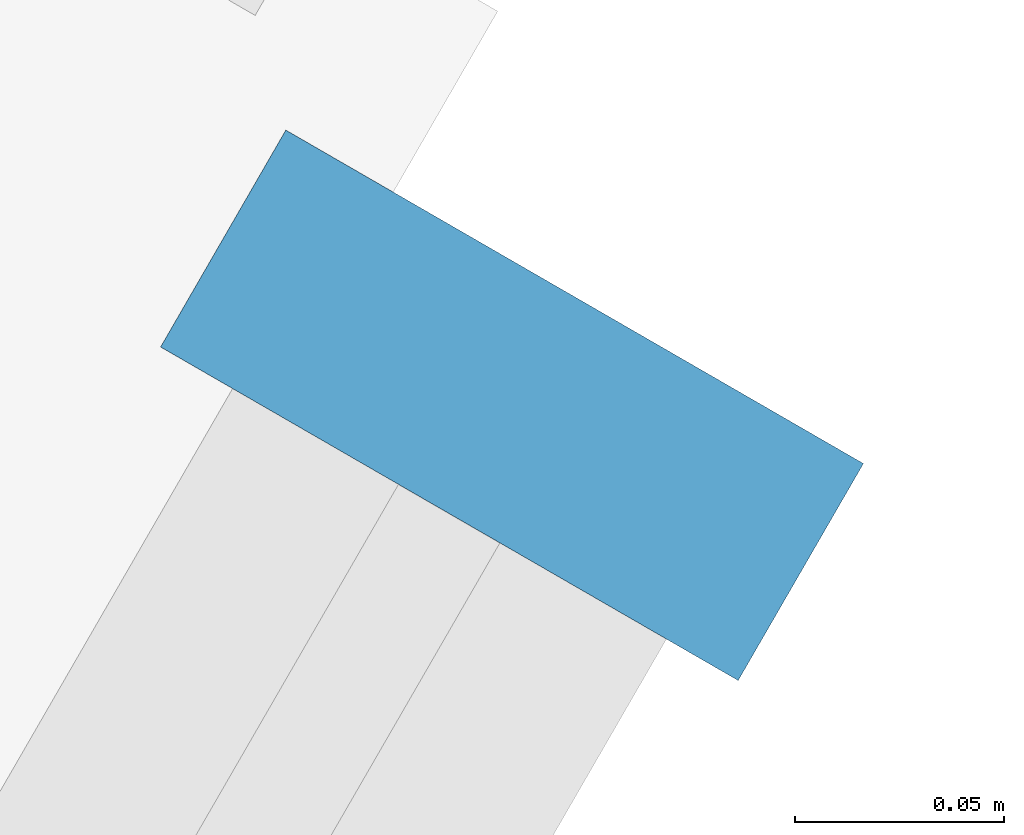
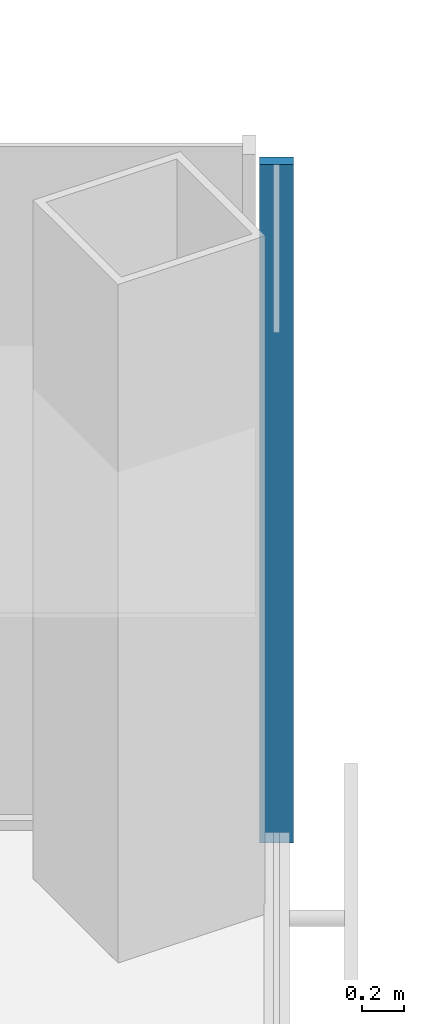
# One storey, part 9 of 18: 1 member, 1 element without a shape of its own.
"""IFC4 building model written with IfcOpenShell, lengths in metres."""

import ifcopenshell
import ifcopenshell.guid

model = None  # the IFC model being written
_history = None  # IfcOwnerHistory: only IFC2X3 demands one
_inside = {}  # id of a spatial element -> (the spatial element, [elements in it])
_under = {}  # id of a project, library or spatial element -> (it, [spatial elements below it])
_declared = {}  # id of a project -> (the project, [libraries it declares])
_typed = {}  # id of a type object -> (the type object, [elements of that type])
_made_of = {}  # id of a material, layer set ... -> (it, [elements and type objects made of it])


def new_model(schema):
    """Start an empty IFC model of exactly this schema.

    Asked for "IFC4X3", IfcOpenShell would pick the latest addendum, in which some entities
    have other attributes; the version numbers below select the first issue.
    IFC2X3 requires an IfcOwnerHistory on every rooted entity: one is made here for all.
    """
    global model, _history
    if schema == "IFC4X3":
        model = ifcopenshell.file(schema_version=(4, 3, 0, 0))
    else:
        model = ifcopenshell.file(schema=schema)
    _inside.clear()
    _under.clear()
    _declared.clear()
    _typed.clear()
    _made_of.clear()
    _history = None
    if model.schema == "IFC2X3":
        org = make("IfcOrganization", Name="unknown")
        user = make(
            "IfcPersonAndOrganization",
            ThePerson=make("IfcPerson", FamilyName="unknown"),
            TheOrganization=org,
        )
        app = make(
            "IfcApplication",
            ApplicationDeveloper=org,
            Version="unknown",
            ApplicationFullName="unknown",
            ApplicationIdentifier="unknown",
        )
        _history = make(
            "IfcOwnerHistory",
            OwningUser=user,
            OwningApplication=app,
            ChangeAction="ADDED",
            CreationDate=0,
        )
    return model


def make(cls, **values):
    """One entity of the class cls with the attributes given. An attribute that is None is left unset."""
    return model.create_entity(
        cls, **{name: value for name, value in values.items() if value is not None}
    )


def rooted(cls, **values):
    """An entity with a GlobalId (a new one), such as an element, a storey or a relation."""
    return make(cls, GlobalId=ifcopenshell.guid.new(), OwnerHistory=_history, **values)


def si_unit(unit_type, name, prefix=None):
    """IfcSIUnit, for example si_unit("LENGTHUNIT", "METRE", prefix="MILLI")."""
    return make("IfcSIUnit", UnitType=unit_type, Prefix=prefix, Name=name)


def assignment(units):
    """IfcUnitAssignment: the units of a project."""
    return None if units is None else make("IfcUnitAssignment", Units=units)


def point(xyz):
    """IfcCartesianPoint."""
    return None if xyz is None else make("IfcCartesianPoint", Coordinates=xyz)


def direction(xyz):
    """IfcDirection."""
    return None if xyz is None else make("IfcDirection", DirectionRatios=xyz)


def frame(location, z_axis=None, x_axis=None):
    """IfcAxis2Placement3D, a coordinate frame: its origin and axes. An axis left out is left unset."""
    return make(
        "IfcAxis2Placement3D",
        Location=point(location),
        Axis=direction(z_axis),
        RefDirection=direction(x_axis),
    )


def frame_2d(location, x_axis=None):
    """IfcAxis2Placement2D, a coordinate frame in the plane: its origin and x axis."""
    return make(
        "IfcAxis2Placement2D", Location=point(location), RefDirection=direction(x_axis)
    )


def origin():
    """The frame at (0, 0, 0) with its axes left unset."""
    return frame((0.0, 0.0, 0.0))


def origin_2d():
    """The frame at (0, 0) in the plane with its x axis left unset."""
    return frame_2d((0.0, 0.0))


def place(relative_to, where):
    """IfcLocalPlacement: puts the frame where relative to a parent placement (None: the world)."""
    return make(
        "IfcLocalPlacement", PlacementRelTo=relative_to, RelativePlacement=where
    )


def context(
    kind, dimensions, precision=None, world=None, true_north=None, identifier=None
):
    """IfcGeometricRepresentationContext, for example the 3D "Model" context."""
    return make(
        "IfcGeometricRepresentationContext",
        ContextIdentifier=identifier,
        ContextType=kind,
        CoordinateSpaceDimension=dimensions,
        Precision=precision,
        WorldCoordinateSystem=world,
        TrueNorth=true_north,
    )


def subcontext(parent, identifier, kind, view, scale=None):
    """IfcGeometricRepresentationSubContext, for example "Body" below "Model"."""
    return make(
        "IfcGeometricRepresentationSubContext",
        ContextIdentifier=identifier,
        ContextType=kind,
        ParentContext=parent,
        TargetScale=scale,
        TargetView=view,
    )


def project(units=None, contexts=None):
    """IfcProject with its units and contexts."""
    return rooted(
        "IfcProject",
        Name="project",
        RepresentationContexts=contexts,
        UnitsInContext=assignment(units),
    )


def spatial(cls, under=None, at=None, **own):
    """A site, building, storey or space (cls), placed at a placement, below another one or the project."""
    s = rooted(cls, ObjectPlacement=at, **own)
    if under is not None:
        _under.setdefault(under.id(), (under, []))[1].append(s)
    return s


def profile(cls, at=None, kind="AREA", **sizes):
    """A parametric profile (cls). Its sizes go by their IFC names, for example OverallWidth=200.0."""
    return make(cls, ProfileType=kind, Position=at, **sizes)


def rectangle(**sizes):
    """IfcRectangleProfileDef."""
    return profile("IfcRectangleProfileDef", **sizes)


def extrude(swept, where, along, depth):
    """IfcExtrudedAreaSolid: the profile swept, set in the frame where, extruded along a direction by depth."""
    return make(
        "IfcExtrudedAreaSolid",
        SweptArea=swept,
        Position=where,
        ExtrudedDirection=direction(along),
        Depth=depth,
    )


def shape(context_of_items, identifier, shape_type, items):
    """IfcShapeRepresentation: the items that make up one representation, for example the "Body"."""
    return make(
        "IfcShapeRepresentation",
        ContextOfItems=context_of_items,
        RepresentationIdentifier=identifier,
        RepresentationType=shape_type,
        Items=items,
    )


def material(Name=None, Category=None):
    """IfcMaterial."""
    return make("IfcMaterial", Name=Name, Category=Category)


def material_profile(
    of_material, cross_section, Name=None, Category=None, Priority=None
):
    """IfcMaterialProfile: a cross section and its material."""
    return make(
        "IfcMaterialProfile",
        Name=Name,
        Material=of_material,
        Profile=cross_section,
        Priority=Priority,
        Category=Category,
    )


def profile_set(profiles, Name=None, composite=None):
    """IfcMaterialProfileSet."""
    return make(
        "IfcMaterialProfileSet",
        Name=Name,
        MaterialProfiles=profiles,
        CompositeProfile=composite,
    )


def made_of(thing, what):
    """Note that an element or type object is made of a material, layer set ...; save() writes the relation."""
    if what is not None:
        _made_of.setdefault(what.id(), (what, []))[1].append(thing)
    return thing


def type_object(cls, material=None, **own):
    """A type object (cls), such as IfcWallType, which elements share."""
    return made_of(rooted(cls, **own), material)


def element(
    cls,
    number,
    at=None,
    inside=None,
    cuts=None,
    type_object=None,
    material=None,
    context=None,
    identifier="Body",
    shape_type=None,
    held_by="IfcProductDefinitionShape",
    body=None,
    shapes=None,
    **own,
):
    """One element of the class cls, such as IfcWall. Its Tag is "e" and its number.

    at: its placement. inside: the storey or other place that contains it. cuts: it is an
    opening in that element (IfcRelVoidsElement). A single representation is given by context,
    identifier, shape_type and body (its items); several are given by shapes. held_by: the class
    of the entity that holds the representations. save() writes the other relations.
    """
    e = rooted(cls, Tag="e%d" % number, ObjectPlacement=at, **own)
    if body is not None:
        shapes = [shape(context, identifier, shape_type, body)]
    if shapes is not None:
        e.Representation = make(held_by, Representations=shapes)
    if inside is not None:
        _inside.setdefault(inside.id(), (inside, []))[1].append(e)
    if cuts is not None:
        rooted(
            "IfcRelVoidsElement", RelatingBuildingElement=cuts, RelatedOpeningElement=e
        )
    if type_object is not None:
        _typed.setdefault(type_object.id(), (type_object, []))[1].append(e)
    return made_of(e, material)


def aggregate(whole, parts):
    """IfcRelAggregates: a whole, such as a stair, and the parts it consists of."""
    return rooted("IfcRelAggregates", RelatingObject=whole, RelatedObjects=parts)


def save(model, path):
    """Write the relations noted so far, then the file.

    IfcRelAggregates (storeys below a building ...), IfcRelContainedInSpatialStructure (elements
    in a storey), IfcRelDefinesByType, IfcRelAssociatesMaterial and IfcRelDeclares: one each for
    every whole, place, type object, material and project.
    """
    for whole, parts in _under.values():
        aggregate(whole, parts)
    for where, things in _inside.values():
        rooted(
            "IfcRelContainedInSpatialStructure",
            RelatedElements=things,
            RelatingStructure=where,
        )
    for kind, things in _typed.values():
        rooted("IfcRelDefinesByType", RelatedObjects=things, RelatingType=kind)
    for what, things in _made_of.values():
        rooted("IfcRelAssociatesMaterial", RelatedObjects=things, RelatingMaterial=what)
    for by, libraries in _declared.values():
        rooted("IfcRelDeclares", RelatingContext=by, RelatedDefinitions=libraries)
    model.write(path)


model = new_model("IFC4")

# Units and contexts
model_context = context("Model", 3, precision=1e-05, world=origin(), true_north=direction((0.0, 1.0)))
body_context = subcontext(model_context, "Body", "Model", "MODEL_VIEW")
ifc_project = project(units=[si_unit("LENGTHUNIT", "METRE"), si_unit("AREAUNIT", "SQUARE_METRE"), si_unit("VOLUMEUNIT", "CUBIC_METRE"), si_unit("PLANEANGLEUNIT", "RADIAN"), si_unit("MASSUNIT", "GRAM", prefix="KILO")], contexts=[model_context])

# Site, building, storey
site_placement = place(None, origin())
site = spatial("IfcSite", under=ifc_project, at=site_placement, CompositionType="ELEMENT")
building_placement = place(site_placement, origin())
building = spatial("IfcBuilding", under=site, at=building_placement, Name="Kasaneha Research Tower", CompositionType="ELEMENT")
storey_placement = place(building_placement, frame((0.0, 0.0, 65.10009765625)))
storey = spatial("IfcBuildingStorey", under=building, at=storey_placement, Name="L16", CompositionType="ELEMENT", Elevation=65.10009765625)

# Curtain wall, member
ifc_material_1 = material(Name="Glass and aluminium", Category="aluminium")
curtain_wall_type = type_object("IfcCurtainWallType", Name="Low-rise office curtain wall", PredefinedType="USERDEFINED", material=ifc_material_1)
curtain_wall_placement = place(storey_placement, origin())
curtain_wall = element("IfcCurtainWall", 1, at=curtain_wall_placement, inside=storey, type_object=curtain_wall_type, Name="CW-O1 L16 run 05a", ObjectType="UNITISED CURTAIN WALL", PredefinedType="USERDEFINED")
ifc_material_2 = material(Name="Aluminium 6063-T6", Category="aluminium")
ifc_material_profile = material_profile(ifc_material_2, rectangle(XDim=0.06005859375, YDim=0.159912109375, at=origin_2d()), Name="CW-O1 mullion 60x160")
ifc_profile_set = profile_set([ifc_material_profile], Name="Aluminium 6063-T6")
member_type = type_object("IfcMemberType", Name="CW-O1 mullion", PredefinedType="MULLION", material=ifc_profile_set)
member_placement = place(storey_placement, frame((32.012939453125, -6.39306640625, 0.0), z_axis=(0.0, 0.0, 1.0), x_axis=(0.500000011442, 0.866025397178, 0.0)))
member = element("IfcMember", 2, at=member_placement, type_object=member_type, Name="CW-O1 mullion 4", PredefinedType="MULLION", context=body_context, shape_type="SweptSolid", body=[
    extrude(rectangle(XDim=0.06005859375, YDim=0.159912109375, at=origin_2d()), origin(), (0.0, 0.0, 1.0), 3.89990234375),
])
aggregate(curtain_wall, [member])

save(model, "model.ifc")
